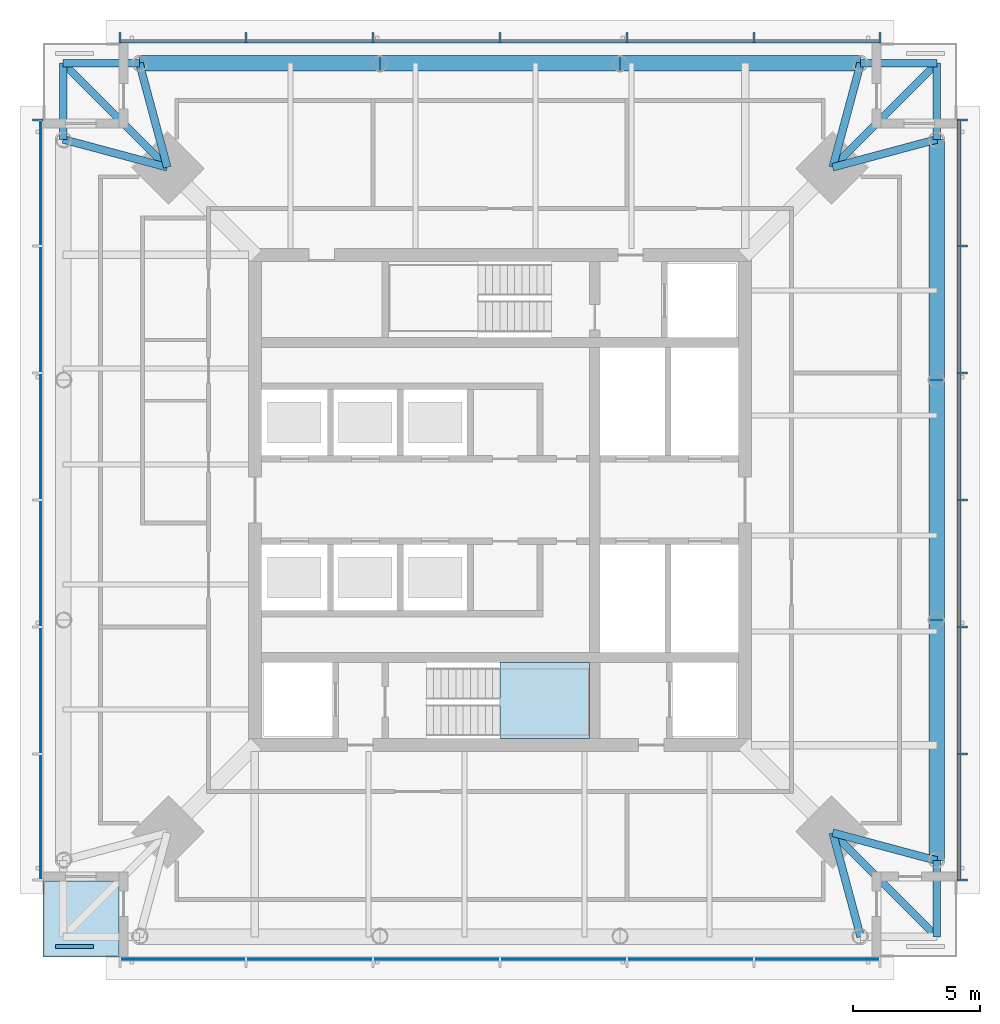
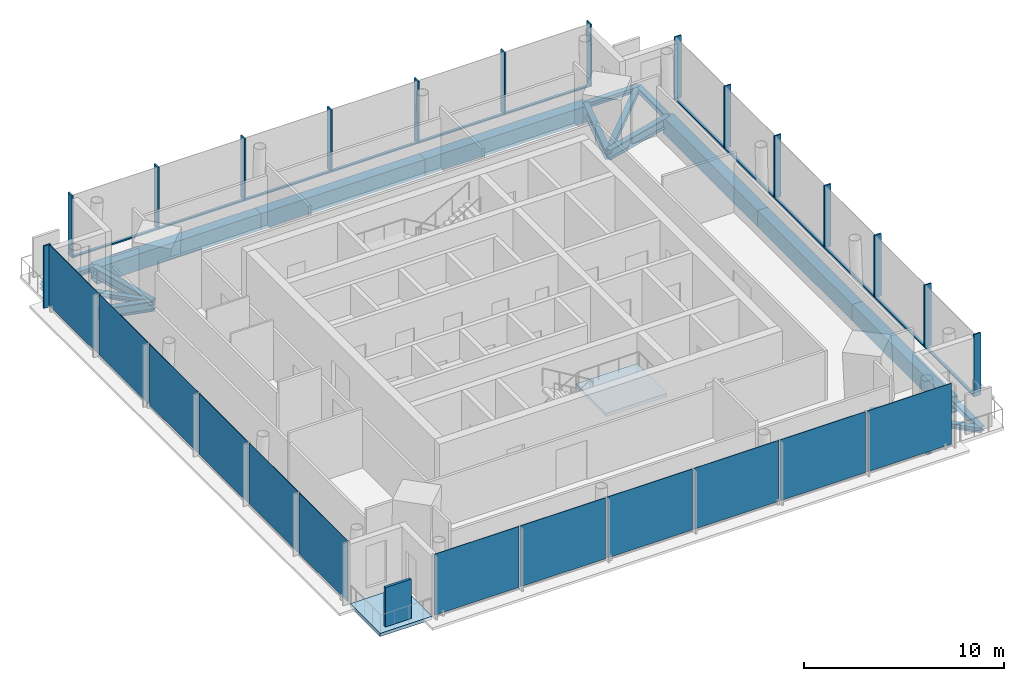
# One storey, part 2 of 10: 33 members, 14 beams, 13 plates, 2 slabs, 5 elements without a shape of their own.
"""IFC4 building model written with IfcOpenShell, lengths in metres."""

from ifc_helpers import new_model, si_unit, direction, frame, origin, origin_2d, place, context, subcontext, project, spatial, polyline, rectangle, hollow_rectangle, i_section, outline, extrude, material, layer, layer_set, material_profile, profile_set, type_object, element, aggregate, save


model = new_model("IFC4")

# Units and contexts
model_context = context("Model", 3, precision=1e-05, world=origin(), true_north=direction((0.0, 1.0)))
body_context = subcontext(model_context, "Body", "Model", "MODEL_VIEW")
ifc_project = project(units=[si_unit("LENGTHUNIT", "METRE"), si_unit("AREAUNIT", "SQUARE_METRE"), si_unit("VOLUMEUNIT", "CUBIC_METRE"), si_unit("PLANEANGLEUNIT", "RADIAN"), si_unit("MASSUNIT", "GRAM", prefix="KILO")], contexts=[model_context])

# Site, building, storey
site_placement = place(None, origin())
site = spatial("IfcSite", under=ifc_project, at=site_placement, CompositionType="ELEMENT")
building_placement = place(site_placement, origin())
building = spatial("IfcBuilding", under=site, at=building_placement, Name="Ostroluk Exchange", CompositionType="ELEMENT")
storey_placement = place(building_placement, frame((0.0, 0.0, 233.800048828125)))
storey = spatial("IfcBuildingStorey", under=building, at=storey_placement, Name="L60", CompositionType="ELEMENT", Elevation=233.800048828125)

# Beams
ifc_material_1 = material(Name="Steel S355", Category="steel")
ifc_material_profile_1 = material_profile(ifc_material_1, i_section(OverallWidth=0.300048828125, OverallDepth=0.300048828125, WebThickness=0.010986328125, FlangeThickness=0.01904296875, FilletRadius=0.027099609375, at=origin_2d()), Name="HEB 300")
ifc_profile_set_1 = profile_set([ifc_material_profile_1], Name="Steel S355")
beam_type_1 = type_object("IfcBeamType", Name="Balcony beam HEB 300", PredefinedType="BEAM", material=ifc_profile_set_1)
for number, where, z_axis, x_axis, name in (
    (1, (62.199951171875, 60.199951171875, -0.35009765625), (0.0, 1.0, 0.0), (-1.0, 0.0, 0.0), "T1 east balcony beam a"),
    (2, (59.199951171875, 63.199951171875, -0.35009765625), (1.0, 0.0, 0.0), (0.0, 1.0, 0.0), "T1 east balcony beam b"),
):
    element("IfcBeam", number, at=place(storey_placement, frame(where, z_axis=z_axis, x_axis=x_axis)), inside=storey, type_object=beam_type_1, Name=name, PredefinedType="BEAM", context=body_context, shape_type="SweptSolid", body=[
        extrude(i_section(OverallWidth=0.300048828125, OverallDepth=0.300048828125, WebThickness=0.010986328125, FlangeThickness=0.01904296875, FilletRadius=0.027099609375, at=origin_2d()), origin(), (0.0, 0.0, 1.0), 3.0),
    ])
beam_1_placement = place(storey_placement, frame((58.10009765625, 59.10009765625, -0.35009765625), z_axis=(0.707106781187, 0.707106781187, 0.0), x_axis=(-0.707106781187, 0.707106781187, 0.0)))
element("IfcBeam", 3, at=beam_1_placement, inside=storey, type_object=beam_type_1, Name="T1 east balcony beam c", PredefinedType="BEAM", context=body_context, shape_type="SweptSolid", body=[
    extrude(i_section(OverallWidth=0.300048828125, OverallDepth=0.300048828125, WebThickness=0.010986328125, FlangeThickness=0.01904296875, FilletRadius=0.027099609375, at=origin_2d()), origin(), (0.0, 0.0, 1.0), 5.798095703125),
])
for number, where, z_axis, x_axis, name in (
    (4, (30.800048828125, 63.199951171875, -0.35009765625), (-1.0, 0.0, 0.0), (0.0, -1.0, 0.0), "T1 north balcony beam a"),
    (5, (27.800048828125, 60.199951171875, -0.35009765625), (0.0, 1.0, 0.0), (-1.0, 0.0, 0.0), "T1 north balcony beam b"),
):
    element("IfcBeam", number, at=place(storey_placement, frame(where, z_axis=z_axis, x_axis=x_axis)), inside=storey, type_object=beam_type_1, Name=name, PredefinedType="BEAM", context=body_context, shape_type="SweptSolid", body=[
        extrude(i_section(OverallWidth=0.300048828125, OverallDepth=0.300048828125, WebThickness=0.010986328125, FlangeThickness=0.01904296875, FilletRadius=0.027099609375, at=origin_2d()), origin(), (0.0, 0.0, 1.0), 3.0),
    ])
beam_2_placement = place(storey_placement, frame((31.89990234375, 59.10009765625, -0.35009765625), z_axis=(-0.707106781187, 0.707106781187, 0.0), x_axis=(-0.707106781187, -0.707106781187, 0.0)))
element("IfcBeam", 6, at=beam_2_placement, inside=storey, type_object=beam_type_1, Name="T1 north balcony beam c", PredefinedType="BEAM", context=body_context, shape_type="SweptSolid", body=[
    extrude(i_section(OverallWidth=0.300048828125, OverallDepth=0.300048828125, WebThickness=0.010986328125, FlangeThickness=0.01904296875, FilletRadius=0.027099609375, at=origin_2d()), origin(), (0.0, 0.0, 1.0), 5.798095703125),
])
beam_3_placement = place(storey_placement, frame((62.199951171875, 31.800048828125, -0.35009765625), z_axis=(0.0, -1.0, 0.0), x_axis=(1.0, 0.0, 0.0)))
element("IfcBeam", 7, at=beam_3_placement, inside=storey, type_object=beam_type_1, Name="T1 south balcony beam b", PredefinedType="BEAM", context=body_context, shape_type="SweptSolid", body=[
    extrude(i_section(OverallWidth=0.300048828125, OverallDepth=0.300048828125, WebThickness=0.010986328125, FlangeThickness=0.01904296875, FilletRadius=0.027099609375, at=origin_2d()), origin(), (0.0, 0.0, 1.0), 3.0),
])
beam_4_placement = place(storey_placement, frame((58.10009765625, 32.89990234375, -0.35009765625), z_axis=(0.707106781187, -0.707106781187, 0.0), x_axis=(0.707106781187, 0.707106781187, 0.0)))
element("IfcBeam", 8, at=beam_4_placement, inside=storey, type_object=beam_type_1, Name="T1 south balcony beam c", PredefinedType="BEAM", context=body_context, shape_type="SweptSolid", body=[
    extrude(i_section(OverallWidth=0.300048828125, OverallDepth=0.300048828125, WebThickness=0.010986328125, FlangeThickness=0.01904296875, FilletRadius=0.027099609375, at=origin_2d()), origin(), (0.0, 0.0, 1.0), 5.798095703125),
])

# Members
ifc_material_2 = material(Name="Steel S460", Category="steel")
ifc_material_profile_2 = material_profile(ifc_material_2, hollow_rectangle(XDim=0.60009765625, YDim=1.0, WallThickness=0.06005859375, at=origin_2d()), Name="BOX 600x1000x60")
ifc_profile_set_2 = profile_set([ifc_material_profile_2], Name="Steel S460")
member_type_1 = type_object("IfcMemberType", Name="Belt truss chord BOX 600x1000x60", PredefinedType="CHORD", material=ifc_profile_set_2)
member_1_placement = place(storey_placement, frame((62.199951171875, 31.800048828125, -0.699951171875), z_axis=(0.0, 1.0, 0.0), x_axis=(-1.0, 0.0, 0.0)))
element("IfcMember", 9, at=member_1_placement, inside=storey, type_object=member_type_1, Name="Belt truss 3 east chord 3.1", PredefinedType="CHORD", context=body_context, shape_type="SweptSolid", body=[
    extrude(hollow_rectangle(XDim=0.60009765625, YDim=1.0, WallThickness=0.06005859375, at=origin_2d()), origin(), (0.0, 0.0, 1.0), 9.466552734375),
])
member_2_placement = place(storey_placement, frame((62.199951171875, 41.2666015625, -0.699951171875), z_axis=(0.0, 1.0, 0.0), x_axis=(-1.0, 0.0, 0.0)))
element("IfcMember", 10, at=member_2_placement, inside=storey, type_object=member_type_1, Name="Belt truss 3 east chord 3.2", PredefinedType="CHORD", context=body_context, shape_type="SweptSolid", body=[
    extrude(hollow_rectangle(XDim=0.60009765625, YDim=1.0, WallThickness=0.06005859375, at=origin_2d()), origin(), (0.0, 0.0, 1.0), 9.466796875),
])
for number, where, z_axis, x_axis, name in (
    (11, (62.199951171875, 50.7333984375, -0.699951171875), (0.0, 1.0, 0.0), (-1.0, 0.0, 0.0), "Belt truss 3 east chord 3.3"),
    (12, (59.199951171875, 63.199951171875, -0.699951171875), (-1.0, 0.0, 0.0), (0.0, -1.0, 0.0), "Belt truss 3 north chord 3.1"),
):
    element("IfcMember", number, at=place(storey_placement, frame(where, z_axis=z_axis, x_axis=x_axis)), inside=storey, type_object=member_type_1, Name=name, PredefinedType="CHORD", context=body_context, shape_type="SweptSolid", body=[
        extrude(hollow_rectangle(XDim=0.60009765625, YDim=1.0, WallThickness=0.06005859375, at=origin_2d()), origin(), (0.0, 0.0, 1.0), 9.466552734375),
    ])
member_3_placement = place(storey_placement, frame((49.7333984375, 63.199951171875, -0.699951171875), z_axis=(-1.0, 0.0, 0.0), x_axis=(0.0, -1.0, 0.0)))
element("IfcMember", 13, at=member_3_placement, inside=storey, type_object=member_type_1, Name="Belt truss 3 north chord 3.2", PredefinedType="CHORD", context=body_context, shape_type="SweptSolid", body=[
    extrude(hollow_rectangle(XDim=0.60009765625, YDim=1.0, WallThickness=0.06005859375, at=origin_2d()), origin(), (0.0, 0.0, 1.0), 9.466796875),
])
member_4_placement = place(storey_placement, frame((40.2666015625, 63.199951171875, -0.699951171875), z_axis=(-1.0, 0.0, 0.0), x_axis=(0.0, -1.0, 0.0)))
element("IfcMember", 14, at=member_4_placement, inside=storey, type_object=member_type_1, Name="Belt truss 3 north chord 3.3", PredefinedType="CHORD", context=body_context, shape_type="SweptSolid", body=[
    extrude(hollow_rectangle(XDim=0.60009765625, YDim=1.0, WallThickness=0.06005859375, at=origin_2d()), origin(), (0.0, 0.0, 1.0), 9.466552734375),
])

# Beams
ifc_material_3 = material(Name="Steel S460", Category="steel")
ifc_material_profile_3 = material_profile(ifc_material_3, i_section(OverallWidth=0.304931640625, OverallDepth=0.6201171875, WebThickness=0.02099609375, FlangeThickness=0.0400390625, FilletRadius=0.027099609375, at=origin_2d()), Name="HEM 600")
ifc_profile_set_3 = profile_set([ifc_material_profile_3], Name="Steel S460")
beam_type_2 = type_object("IfcBeamType", Name="Corner edge beam HEM 600", PredefinedType="SPANDREL", material=ifc_profile_set_3)
for number, where, z_axis, x_axis, name in (
    (15, (58.10009765625, 59.10009765625, -0.510009765625), (0.965849156574, 0.259105011038, 0.0), (-0.259105011038, 0.965849156574, 0.0), "T1 east corner edge beam a"),
    (16, (58.10009765625, 59.10009765625, -0.510009765625), (0.259105011038, 0.965849156574, 0.0), (-0.965849156574, 0.259105011038, 0.0), "T1 east corner edge beam b"),
    (17, (31.89990234375, 59.10009765625, -0.510009765625), (-0.259105011038, 0.965849156574, 0.0), (-0.965849156574, -0.259105011038, 0.0), "T1 north corner edge beam a"),
    (18, (31.89990234375, 59.10009765625, -0.510009765625), (-0.965849156574, 0.259105011038, 0.0), (-0.259105011038, -0.965849156574, 0.0), "T1 north corner edge beam b"),
    (19, (58.10009765625, 32.89990234375, -0.510009765625), (0.259105011038, -0.965849156574, 0.0), (0.965849156574, 0.259105011038, 0.0), "T1 south corner edge beam a"),
    (20, (58.10009765625, 32.89990234375, -0.510009765625), (0.965849156574, -0.259105011038, 0.0), (0.259105011038, 0.965849156574, 0.0), "T1 south corner edge beam b"),
):
    element("IfcBeam", number, at=place(storey_placement, frame(where, z_axis=z_axis, x_axis=x_axis)), inside=storey, type_object=beam_type_2, Name=name, PredefinedType="SPANDREL", context=body_context, shape_type="SweptSolid", body=[
        extrude(i_section(OverallWidth=0.304931640625, OverallDepth=0.6201171875, WebThickness=0.02099609375, FlangeThickness=0.0400390625, FilletRadius=0.027099609375, at=origin_2d()), origin(), (0.0, 0.0, 1.0), 4.244873046875),
    ])

# Curtain wall, members
ifc_material_4 = material(Name="Laminated clear glass", Category="glass")
curtain_wall_type = type_object("IfcCurtainWallType", Name="Office tower plant and sky lobby facade", PredefinedType="USERDEFINED", material=ifc_material_4)
curtain_wall_1_placement = place(storey_placement, origin())
curtain_wall_1 = element("IfcCurtainWall", 21, at=curtain_wall_1_placement, inside=storey, type_object=curtain_wall_type, Name="Office tower east facade L60", ObjectType="LOUVRED CURTAIN WALL", PredefinedType="USERDEFINED")
ifc_material_5 = material(Name="Aluminium mullion", Category="aluminium")
ifc_material_profile_4 = material_profile(ifc_material_5, rectangle(XDim=0.14990234375, YDim=0.080078125, at=origin_2d()), Name="Sill transom 80 x 150")
ifc_profile_set_4 = profile_set([ifc_material_profile_4], Name="Aluminium mullion")
member_type_2 = type_object("IfcMemberType", Name="Sill transom 80 x 150", PredefinedType="USERDEFINED", material=ifc_profile_set_4)
member_5_placement = place(storey_placement, frame((63.074951171875, 31.080078125, 0.0400390625), z_axis=(0.0, 1.0, 0.0), x_axis=(-1.0, 0.0, 0.0)))
member_5 = element("IfcMember", 22, at=member_5_placement, type_object=member_type_2, Name="CW-P1 transom 1.1", ObjectType="TRANSOM", PredefinedType="USERDEFINED", context=body_context, shape_type="SweptSolid", body=[
    extrude(rectangle(XDim=0.14990234375, YDim=0.080078125, at=origin_2d()), origin(), (0.0, 0.0, 1.0), 4.8798828125),
])
member_6_placement = place(storey_placement, frame((63.074951171875, 36.0400390625, 0.0400390625), z_axis=(0.0, 1.0, 0.0), x_axis=(-1.0, 0.0, 0.0)))
member_6 = element("IfcMember", 23, at=member_6_placement, type_object=member_type_2, Name="CW-P1 transom 2.1", ObjectType="TRANSOM", PredefinedType="USERDEFINED", context=body_context, shape_type="SweptSolid", body=[
    extrude(rectangle(XDim=0.14990234375, YDim=0.080078125, at=origin_2d()), origin(), (0.0, 0.0, 1.0), 4.919921875),
])
member_7_placement = place(storey_placement, frame((63.074951171875, 41.0400390625, 0.0400390625), z_axis=(0.0, 1.0, 0.0), x_axis=(-1.0, 0.0, 0.0)))
member_7 = element("IfcMember", 24, at=member_7_placement, type_object=member_type_2, Name="CW-P1 transom 3.1", ObjectType="TRANSOM", PredefinedType="USERDEFINED", context=body_context, shape_type="SweptSolid", body=[
    extrude(rectangle(XDim=0.14990234375, YDim=0.080078125, at=origin_2d()), origin(), (0.0, 0.0, 1.0), 4.919921875),
])
member_8_placement = place(storey_placement, frame((63.074951171875, 46.0400390625, 0.0400390625), z_axis=(0.0, 1.0, 0.0), x_axis=(-1.0, 0.0, 0.0)))
member_8 = element("IfcMember", 25, at=member_8_placement, type_object=member_type_2, Name="CW-P1 transom 4.1", ObjectType="TRANSOM", PredefinedType="USERDEFINED", context=body_context, shape_type="SweptSolid", body=[
    extrude(rectangle(XDim=0.14990234375, YDim=0.080078125, at=origin_2d()), origin(), (0.0, 0.0, 1.0), 4.919921875),
])
member_9_placement = place(storey_placement, frame((63.074951171875, 51.0400390625, 0.0400390625), z_axis=(0.0, 1.0, 0.0), x_axis=(-1.0, 0.0, 0.0)))
member_9 = element("IfcMember", 26, at=member_9_placement, type_object=member_type_2, Name="CW-P1 transom 5.1", ObjectType="TRANSOM", PredefinedType="USERDEFINED", context=body_context, shape_type="SweptSolid", body=[
    extrude(rectangle(XDim=0.14990234375, YDim=0.080078125, at=origin_2d()), origin(), (0.0, 0.0, 1.0), 4.919921875),
])
member_10_placement = place(storey_placement, frame((63.074951171875, 56.0400390625, 0.0400390625), z_axis=(0.0, 1.0, 0.0), x_axis=(-1.0, 0.0, 0.0)))
member_10 = element("IfcMember", 27, at=member_10_placement, type_object=member_type_2, Name="CW-P1 transom 6.1", ObjectType="TRANSOM", PredefinedType="USERDEFINED", context=body_context, shape_type="SweptSolid", body=[
    extrude(rectangle(XDim=0.14990234375, YDim=0.080078125, at=origin_2d()), origin(), (0.0, 0.0, 1.0), 4.8798828125),
])

curtain_wall_2_placement = place(storey_placement, origin())
curtain_wall_2 = element("IfcCurtainWall", 28, at=curtain_wall_2_placement, inside=storey, type_object=curtain_wall_type, Name="Office tower north facade L60", ObjectType="LOUVRED CURTAIN WALL", PredefinedType="USERDEFINED")
member_11_placement = place(storey_placement, frame((59.919921875, 64.074951171875, 0.0400390625), z_axis=(-1.0, 0.0, 0.0), x_axis=(0.0, -1.0, 0.0)))
member_11 = element("IfcMember", 29, at=member_11_placement, type_object=member_type_2, Name="CW-P1 transom 1.1", ObjectType="TRANSOM", PredefinedType="USERDEFINED", context=body_context, shape_type="SweptSolid", body=[
    extrude(rectangle(XDim=0.14990234375, YDim=0.080078125, at=origin_2d()), origin(), (0.0, 0.0, 1.0), 4.8798828125),
])
member_12_placement = place(storey_placement, frame((54.9599609375, 64.074951171875, 0.0400390625), z_axis=(-1.0, 0.0, 0.0), x_axis=(0.0, -1.0, 0.0)))
member_12 = element("IfcMember", 30, at=member_12_placement, type_object=member_type_2, Name="CW-P1 transom 2.1", ObjectType="TRANSOM", PredefinedType="USERDEFINED", context=body_context, shape_type="SweptSolid", body=[
    extrude(rectangle(XDim=0.14990234375, YDim=0.080078125, at=origin_2d()), origin(), (0.0, 0.0, 1.0), 4.919921875),
])
member_13_placement = place(storey_placement, frame((49.9599609375, 64.074951171875, 0.0400390625), z_axis=(-1.0, 0.0, 0.0), x_axis=(0.0, -1.0, 0.0)))
member_13 = element("IfcMember", 31, at=member_13_placement, type_object=member_type_2, Name="CW-P1 transom 3.1", ObjectType="TRANSOM", PredefinedType="USERDEFINED", context=body_context, shape_type="SweptSolid", body=[
    extrude(rectangle(XDim=0.14990234375, YDim=0.080078125, at=origin_2d()), origin(), (0.0, 0.0, 1.0), 4.919921875),
])
member_14_placement = place(storey_placement, frame((44.9599609375, 64.074951171875, 0.0400390625), z_axis=(-1.0, 0.0, 0.0), x_axis=(0.0, -1.0, 0.0)))
member_14 = element("IfcMember", 32, at=member_14_placement, type_object=member_type_2, Name="CW-P1 transom 4.1", ObjectType="TRANSOM", PredefinedType="USERDEFINED", context=body_context, shape_type="SweptSolid", body=[
    extrude(rectangle(XDim=0.14990234375, YDim=0.080078125, at=origin_2d()), origin(), (0.0, 0.0, 1.0), 4.919921875),
])
member_15_placement = place(storey_placement, frame((39.9599609375, 64.074951171875, 0.0400390625), z_axis=(-1.0, 0.0, 0.0), x_axis=(0.0, -1.0, 0.0)))
member_15 = element("IfcMember", 33, at=member_15_placement, type_object=member_type_2, Name="CW-P1 transom 5.1", ObjectType="TRANSOM", PredefinedType="USERDEFINED", context=body_context, shape_type="SweptSolid", body=[
    extrude(rectangle(XDim=0.14990234375, YDim=0.080078125, at=origin_2d()), origin(), (0.0, 0.0, 1.0), 4.919921875),
])
member_16_placement = place(storey_placement, frame((34.9599609375, 64.074951171875, 0.0400390625), z_axis=(-1.0, 0.0, 0.0), x_axis=(0.0, -1.0, 0.0)))
member_16 = element("IfcMember", 34, at=member_16_placement, type_object=member_type_2, Name="CW-P1 transom 6.1", ObjectType="TRANSOM", PredefinedType="USERDEFINED", context=body_context, shape_type="SweptSolid", body=[
    extrude(rectangle(XDim=0.14990234375, YDim=0.080078125, at=origin_2d()), origin(), (0.0, 0.0, 1.0), 4.8798828125),
])

# Member
ifc_material_6 = material(Name="Aluminium mullion with limestone facing", Category="masonry")
ifc_material_profile_5 = material_profile(ifc_material_6, rectangle(XDim=0.39990234375, YDim=0.080078125, at=origin_2d()), Name="Tracery mullion 80 x 400")
ifc_profile_set_5 = profile_set([ifc_material_profile_5], Name="Aluminium mullion with limestone facing")
member_type_3 = type_object("IfcMemberType", Name="Tracery mullion 80 x 400", PredefinedType="MULLION", material=ifc_profile_set_5)
member_17_placement = place(storey_placement, frame((63.199951171875, 31.0400390625, 0.0), z_axis=(0.0, 0.0, 1.0), x_axis=(-1.0, 0.0, 0.0)))
member_17 = element("IfcMember", 35, at=member_17_placement, type_object=member_type_3, Name="CW-P1 mullion 1", PredefinedType="MULLION", context=body_context, shape_type="SweptSolid", body=[
    extrude(rectangle(XDim=0.39990234375, YDim=0.080078125, at=origin_2d()), origin(), (0.0, 0.0, 1.0), 3.800048828125),
])

member_18_placement = place(storey_placement, frame((63.199951171875, 36.0, 0.0), z_axis=(0.0, 0.0, 1.0), x_axis=(-1.0, 0.0, 0.0)))
member_18 = element("IfcMember", 36, at=member_18_placement, type_object=member_type_3, Name="CW-P1 mullion 2", PredefinedType="MULLION", context=body_context, shape_type="SweptSolid", body=[
    extrude(rectangle(XDim=0.39990234375, YDim=0.080078125, at=origin_2d()), origin(), (0.0, 0.0, 1.0), 3.800048828125),
])

member_19_placement = place(storey_placement, frame((63.199951171875, 41.0, 0.0), z_axis=(0.0, 0.0, 1.0), x_axis=(-1.0, 0.0, 0.0)))
member_19 = element("IfcMember", 37, at=member_19_placement, type_object=member_type_3, Name="CW-P1 mullion 3", PredefinedType="MULLION", context=body_context, shape_type="SweptSolid", body=[
    extrude(rectangle(XDim=0.39990234375, YDim=0.080078125, at=origin_2d()), origin(), (0.0, 0.0, 1.0), 3.800048828125),
])

member_20_placement = place(storey_placement, frame((63.199951171875, 46.0, 0.0), z_axis=(0.0, 0.0, 1.0), x_axis=(-1.0, 0.0, 0.0)))
member_20 = element("IfcMember", 38, at=member_20_placement, type_object=member_type_3, Name="CW-P1 mullion 4", PredefinedType="MULLION", context=body_context, shape_type="SweptSolid", body=[
    extrude(rectangle(XDim=0.39990234375, YDim=0.080078125, at=origin_2d()), origin(), (0.0, 0.0, 1.0), 3.800048828125),
])

member_21_placement = place(storey_placement, frame((63.199951171875, 51.0, 0.0), z_axis=(0.0, 0.0, 1.0), x_axis=(-1.0, 0.0, 0.0)))
member_21 = element("IfcMember", 39, at=member_21_placement, type_object=member_type_3, Name="CW-P1 mullion 5", PredefinedType="MULLION", context=body_context, shape_type="SweptSolid", body=[
    extrude(rectangle(XDim=0.39990234375, YDim=0.080078125, at=origin_2d()), origin(), (0.0, 0.0, 1.0), 3.800048828125),
])

member_22_placement = place(storey_placement, frame((63.199951171875, 56.0, 0.0), z_axis=(0.0, 0.0, 1.0), x_axis=(-1.0, 0.0, 0.0)))
member_22 = element("IfcMember", 40, at=member_22_placement, type_object=member_type_3, Name="CW-P1 mullion 6", PredefinedType="MULLION", context=body_context, shape_type="SweptSolid", body=[
    extrude(rectangle(XDim=0.39990234375, YDim=0.080078125, at=origin_2d()), origin(), (0.0, 0.0, 1.0), 3.800048828125),
])

member_23_placement = place(storey_placement, frame((63.199951171875, 60.9599609375, 0.0), z_axis=(0.0, 0.0, 1.0), x_axis=(-1.0, 0.0, 0.0)))
member_23 = element("IfcMember", 41, at=member_23_placement, type_object=member_type_3, Name="CW-P1 mullion 7", PredefinedType="MULLION", context=body_context, shape_type="SweptSolid", body=[
    extrude(rectangle(XDim=0.39990234375, YDim=0.080078125, at=origin_2d()), origin(), (0.0, 0.0, 1.0), 3.800048828125),
])

aggregate(curtain_wall_1, [member_17, member_18, member_19, member_20, member_21, member_22, member_23, member_5, member_6, member_7, member_8, member_9, member_10])

member_24_placement = place(storey_placement, frame((59.9599609375, 64.199951171875, 0.0), z_axis=(0.0, 0.0, 1.0), x_axis=(0.0, -1.0, 0.0)))
member_24 = element("IfcMember", 42, at=member_24_placement, type_object=member_type_3, Name="CW-P1 mullion 1", PredefinedType="MULLION", context=body_context, shape_type="SweptSolid", body=[
    extrude(rectangle(XDim=0.39990234375, YDim=0.080078125, at=origin_2d()), origin(), (0.0, 0.0, 1.0), 3.800048828125),
])

member_25_placement = place(storey_placement, frame((55.0, 64.199951171875, 0.0), z_axis=(0.0, 0.0, 1.0), x_axis=(0.0, -1.0, 0.0)))
member_25 = element("IfcMember", 43, at=member_25_placement, type_object=member_type_3, Name="CW-P1 mullion 2", PredefinedType="MULLION", context=body_context, shape_type="SweptSolid", body=[
    extrude(rectangle(XDim=0.39990234375, YDim=0.080078125, at=origin_2d()), origin(), (0.0, 0.0, 1.0), 3.800048828125),
])

member_26_placement = place(storey_placement, frame((50.0, 64.199951171875, 0.0), z_axis=(0.0, 0.0, 1.0), x_axis=(0.0, -1.0, 0.0)))
member_26 = element("IfcMember", 44, at=member_26_placement, type_object=member_type_3, Name="CW-P1 mullion 3", PredefinedType="MULLION", context=body_context, shape_type="SweptSolid", body=[
    extrude(rectangle(XDim=0.39990234375, YDim=0.080078125, at=origin_2d()), origin(), (0.0, 0.0, 1.0), 3.800048828125),
])

member_27_placement = place(storey_placement, frame((45.0, 64.199951171875, 0.0), z_axis=(0.0, 0.0, 1.0), x_axis=(0.0, -1.0, 0.0)))
member_27 = element("IfcMember", 45, at=member_27_placement, type_object=member_type_3, Name="CW-P1 mullion 4", PredefinedType="MULLION", context=body_context, shape_type="SweptSolid", body=[
    extrude(rectangle(XDim=0.39990234375, YDim=0.080078125, at=origin_2d()), origin(), (0.0, 0.0, 1.0), 3.800048828125),
])

member_28_placement = place(storey_placement, frame((40.0, 64.199951171875, 0.0), z_axis=(0.0, 0.0, 1.0), x_axis=(0.0, -1.0, 0.0)))
member_28 = element("IfcMember", 46, at=member_28_placement, type_object=member_type_3, Name="CW-P1 mullion 5", PredefinedType="MULLION", context=body_context, shape_type="SweptSolid", body=[
    extrude(rectangle(XDim=0.39990234375, YDim=0.080078125, at=origin_2d()), origin(), (0.0, 0.0, 1.0), 3.800048828125),
])

member_29_placement = place(storey_placement, frame((35.0, 64.199951171875, 0.0), z_axis=(0.0, 0.0, 1.0), x_axis=(0.0, -1.0, 0.0)))
member_29 = element("IfcMember", 47, at=member_29_placement, type_object=member_type_3, Name="CW-P1 mullion 6", PredefinedType="MULLION", context=body_context, shape_type="SweptSolid", body=[
    extrude(rectangle(XDim=0.39990234375, YDim=0.080078125, at=origin_2d()), origin(), (0.0, 0.0, 1.0), 3.800048828125),
])

member_30_placement = place(storey_placement, frame((30.0400390625, 64.199951171875, 0.0), z_axis=(0.0, 0.0, 1.0), x_axis=(0.0, -1.0, 0.0)))
member_30 = element("IfcMember", 48, at=member_30_placement, type_object=member_type_3, Name="CW-P1 mullion 7", PredefinedType="MULLION", context=body_context, shape_type="SweptSolid", body=[
    extrude(rectangle(XDim=0.39990234375, YDim=0.080078125, at=origin_2d()), origin(), (0.0, 0.0, 1.0), 3.800048828125),
])

aggregate(curtain_wall_2, [member_24, member_25, member_26, member_27, member_28, member_29, member_30, member_11, member_12, member_13, member_14, member_15, member_16])

# Curtain wall, member
curtain_wall_3_placement = place(storey_placement, origin())
curtain_wall_3 = element("IfcCurtainWall", 49, at=curtain_wall_3_placement, inside=storey, type_object=curtain_wall_type, Name="Office tower west facade L60", ObjectType="LOUVRED CURTAIN WALL", PredefinedType="USERDEFINED")
member_31_placement = place(storey_placement, frame((26.800048828125, 60.9599609375, 0.0), z_axis=(0.0, 0.0, 1.0), x_axis=(1.0, 0.0, 0.0)))
member_31 = element("IfcMember", 50, at=member_31_placement, type_object=member_type_3, Name="CW-P1 mullion 1", PredefinedType="MULLION", context=body_context, shape_type="SweptSolid", body=[
    extrude(rectangle(XDim=0.39990234375, YDim=0.080078125, at=origin_2d()), origin(), (0.0, 0.0, 1.0), 3.800048828125),
])

# Slab
ifc_material_7 = material(Name="Concrete C35/45", Category="concrete")
ifc_layer_1 = layer(ifc_material_7, 0.199951171875)
ifc_layer_set_1 = layer_set([ifc_layer_1], Name="Balcony slab 200")
slab_type_1 = type_object("IfcSlabType", Name="Balcony slab 200", PredefinedType="USERDEFINED", material=ifc_layer_set_1)
slab_1_placement = place(storey_placement, frame((0.0, 0.0, -0.199951171875)))
element("IfcSlab", 51, at=slab_1_placement, inside=storey, type_object=slab_type_1, Name="Office tower SW corner balcony L60", ObjectType="BALCONY", PredefinedType="USERDEFINED", context=body_context, shape_type="SweptSolid", body=[
    extrude(outline(polyline([(27.0, 28.0), (30.0, 28.0), (30.0, 31.0), (27.0, 31.0), (27.0, 28.0)])), origin(), (0.0, 0.0, 1.0), 0.199951171875),
])

# Curtain wall, plates
curtain_wall_4_placement = place(storey_placement, origin())
curtain_wall_4 = element("IfcCurtainWall", 52, at=curtain_wall_4_placement, inside=storey, type_object=curtain_wall_type, Name="Office tower south facade L60", ObjectType="LOUVRED CURTAIN WALL", PredefinedType="USERDEFINED")
ifc_material_8 = material(Name="Laminated clear glass", Category="glass")
ifc_layer_2 = layer(ifc_material_8, 0.035888671875)
ifc_layer_set_2 = layer_set([ifc_layer_2], Name="Double laminated clear glazing 36")
plate_type_1 = type_object("IfcPlateType", Name="Double laminated clear glazing 36", PredefinedType="CURTAIN_PANEL", material=ifc_layer_set_2)
plate_1_placement = place(storey_placement, frame((32.52001953125, 27.925048828125, 0.080078125), z_axis=(0.0, 0.0, 1.0), x_axis=(1.0, 0.0, 0.0)))
plate_1 = element("IfcPlate", 53, at=plate_1_placement, type_object=plate_type_1, Name="CW-P1 panel 1.1", PredefinedType="CURTAIN_PANEL", context=body_context, shape_type="SweptSolid", body=[
    extrude(rectangle(XDim=4.8798828125, YDim=0.035888671875, at=origin_2d()), origin(), (0.0, 0.0, 1.0), 3.719970703125),
])
plate_2_placement = place(storey_placement, frame((37.5, 27.925048828125, 0.080078125), z_axis=(0.0, 0.0, 1.0), x_axis=(1.0, 0.0, 0.0)))
plate_2 = element("IfcPlate", 54, at=plate_2_placement, type_object=plate_type_1, Name="CW-P1 panel 2.1", PredefinedType="CURTAIN_PANEL", context=body_context, shape_type="SweptSolid", body=[
    extrude(rectangle(XDim=4.919921875, YDim=0.035888671875, at=origin_2d()), origin(), (0.0, 0.0, 1.0), 3.719970703125),
])
plate_3_placement = place(storey_placement, frame((42.5, 27.925048828125, 0.080078125), z_axis=(0.0, 0.0, 1.0), x_axis=(1.0, 0.0, 0.0)))
plate_3 = element("IfcPlate", 55, at=plate_3_placement, type_object=plate_type_1, Name="CW-P1 panel 3.1", PredefinedType="CURTAIN_PANEL", context=body_context, shape_type="SweptSolid", body=[
    extrude(rectangle(XDim=4.919921875, YDim=0.035888671875, at=origin_2d()), origin(), (0.0, 0.0, 1.0), 3.719970703125),
])
plate_4_placement = place(storey_placement, frame((47.5, 27.925048828125, 0.080078125), z_axis=(0.0, 0.0, 1.0), x_axis=(1.0, 0.0, 0.0)))
plate_4 = element("IfcPlate", 56, at=plate_4_placement, type_object=plate_type_1, Name="CW-P1 panel 4.1", PredefinedType="CURTAIN_PANEL", context=body_context, shape_type="SweptSolid", body=[
    extrude(rectangle(XDim=4.919921875, YDim=0.035888671875, at=origin_2d()), origin(), (0.0, 0.0, 1.0), 3.719970703125),
])
plate_5_placement = place(storey_placement, frame((52.5, 27.925048828125, 0.080078125), z_axis=(0.0, 0.0, 1.0), x_axis=(1.0, 0.0, 0.0)))
plate_5 = element("IfcPlate", 57, at=plate_5_placement, type_object=plate_type_1, Name="CW-P1 panel 5.1", PredefinedType="CURTAIN_PANEL", context=body_context, shape_type="SweptSolid", body=[
    extrude(rectangle(XDim=4.919921875, YDim=0.035888671875, at=origin_2d()), origin(), (0.0, 0.0, 1.0), 3.719970703125),
])
plate_6_placement = place(storey_placement, frame((57.47998046875, 27.925048828125, 0.080078125), z_axis=(0.0, 0.0, 1.0), x_axis=(1.0, 0.0, 0.0)))
plate_6 = element("IfcPlate", 58, at=plate_6_placement, type_object=plate_type_1, Name="CW-P1 panel 6.1", PredefinedType="CURTAIN_PANEL", context=body_context, shape_type="SweptSolid", body=[
    extrude(rectangle(XDim=4.8798828125, YDim=0.035888671875, at=origin_2d()), origin(), (0.0, 0.0, 1.0), 3.719970703125),
])
aggregate(curtain_wall_4, [plate_1, plate_2, plate_3, plate_4, plate_5, plate_6])

# Plate
plate_7_placement = place(storey_placement, frame((26.925048828125, 58.47998046875, 0.080078125), z_axis=(0.0, 0.0, 1.0), x_axis=(0.0, -1.0, 0.0)))
plate_7 = element("IfcPlate", 59, at=plate_7_placement, type_object=plate_type_1, Name="CW-P1 panel 1.1", PredefinedType="CURTAIN_PANEL", context=body_context, shape_type="SweptSolid", body=[
    extrude(rectangle(XDim=4.8798828125, YDim=0.035888671875, at=origin_2d()), origin(), (0.0, 0.0, 1.0), 3.719970703125),
])

plate_8_placement = place(storey_placement, frame((26.925048828125, 53.5, 0.080078125), z_axis=(0.0, 0.0, 1.0), x_axis=(0.0, -1.0, 0.0)))
plate_8 = element("IfcPlate", 60, at=plate_8_placement, type_object=plate_type_1, Name="CW-P1 panel 2.1", PredefinedType="CURTAIN_PANEL", context=body_context, shape_type="SweptSolid", body=[
    extrude(rectangle(XDim=4.919921875, YDim=0.035888671875, at=origin_2d()), origin(), (0.0, 0.0, 1.0), 3.719970703125),
])

plate_9_placement = place(storey_placement, frame((26.925048828125, 48.5, 0.080078125), z_axis=(0.0, 0.0, 1.0), x_axis=(0.0, -1.0, 0.0)))
plate_9 = element("IfcPlate", 61, at=plate_9_placement, type_object=plate_type_1, Name="CW-P1 panel 3.1", PredefinedType="CURTAIN_PANEL", context=body_context, shape_type="SweptSolid", body=[
    extrude(rectangle(XDim=4.919921875, YDim=0.035888671875, at=origin_2d()), origin(), (0.0, 0.0, 1.0), 3.719970703125),
])

plate_10_placement = place(storey_placement, frame((26.925048828125, 43.5, 0.080078125), z_axis=(0.0, 0.0, 1.0), x_axis=(0.0, -1.0, 0.0)))
plate_10 = element("IfcPlate", 62, at=plate_10_placement, type_object=plate_type_1, Name="CW-P1 panel 4.1", PredefinedType="CURTAIN_PANEL", context=body_context, shape_type="SweptSolid", body=[
    extrude(rectangle(XDim=4.919921875, YDim=0.035888671875, at=origin_2d()), origin(), (0.0, 0.0, 1.0), 3.719970703125),
])

plate_11_placement = place(storey_placement, frame((26.925048828125, 38.5, 0.080078125), z_axis=(0.0, 0.0, 1.0), x_axis=(0.0, -1.0, 0.0)))
plate_11 = element("IfcPlate", 63, at=plate_11_placement, type_object=plate_type_1, Name="CW-P1 panel 5.1", PredefinedType="CURTAIN_PANEL", context=body_context, shape_type="SweptSolid", body=[
    extrude(rectangle(XDim=4.919921875, YDim=0.035888671875, at=origin_2d()), origin(), (0.0, 0.0, 1.0), 3.719970703125),
])

plate_12_placement = place(storey_placement, frame((26.925048828125, 33.52001953125, 0.080078125), z_axis=(0.0, 0.0, 1.0), x_axis=(0.0, -1.0, 0.0)))
plate_12 = element("IfcPlate", 64, at=plate_12_placement, type_object=plate_type_1, Name="CW-P1 panel 6.1", PredefinedType="CURTAIN_PANEL", context=body_context, shape_type="SweptSolid", body=[
    extrude(rectangle(XDim=4.8798828125, YDim=0.035888671875, at=origin_2d()), origin(), (0.0, 0.0, 1.0), 3.719970703125),
])

aggregate(curtain_wall_3, [member_31, plate_7, plate_8, plate_9, plate_10, plate_11, plate_12])

ifc_material_9 = material(Name="Steel S355 trellis with planting", Category="steel")
ifc_layer_3 = layer(ifc_material_9, 0.14990234375)
ifc_layer_set_3 = layer_set([ifc_layer_3], Name="Planted screen 150")
plate_type_2 = type_object("IfcPlateType", Name="Planted screen 150", PredefinedType="USERDEFINED", material=ifc_layer_set_3)
plate_13_placement = place(storey_placement, frame((28.25, 28.425048828125, 0.0), z_axis=(0.0, 0.0, 1.0), x_axis=(1.0, 0.0, 0.0)))
element("IfcPlate", 65, at=plate_13_placement, inside=storey, type_object=plate_type_2, Name="Office tower SW planted screen L60", ObjectType="PLANTED SCREEN", PredefinedType="USERDEFINED", context=body_context, shape_type="SweptSolid", body=[
    extrude(rectangle(XDim=1.5, YDim=0.14990234375, at=origin_2d()), origin(), (0.0, 0.0, 1.0), 2.39990234375),
])

# Stair, slab
ifc_material_10 = material(Name="Concrete C30/37", Category="concrete")
stair_type = type_object("IfcStairType", Name="Exit stair half turn 3800", PredefinedType="HALF_TURN_STAIR", material=ifc_material_10)
stair_placement = place(storey_placement, origin())
stair = element("IfcStair", 66, at=stair_placement, inside=storey, type_object=stair_type, Name="Stair T1-S1 L60", PredefinedType="HALF_TURN_STAIR")
ifc_material_11 = material(Name="Concrete C30/37", Category="concrete")
ifc_layer_4 = layer(ifc_material_11, 0.199951171875)
ifc_layer_set_4 = layer_set([ifc_layer_4], Name="Stair landing 200")
slab_type_2 = type_object("IfcSlabType", Name="Stair landing 200", PredefinedType="LANDING", material=ifc_layer_set_4)
slab_2_placement = place(storey_placement, frame((0.0, 0.0, 1.699951171875)))
slab_2 = element("IfcSlab", 67, at=slab_2_placement, type_object=slab_type_2, Name="T1-S1 landing 1", PredefinedType="LANDING", context=body_context, shape_type="SweptSolid", body=[
    extrude(outline(polyline([(45.0, 36.60009765625), (45.0, 39.60009765625), (48.530029296875, 39.60009765625), (48.530029296875, 36.60009765625), (45.0, 36.60009765625)])), origin(), (0.0, 0.0, 1.0), 0.199951171875),
])
aggregate(stair, [slab_2])

save(model, "model.ifc")
